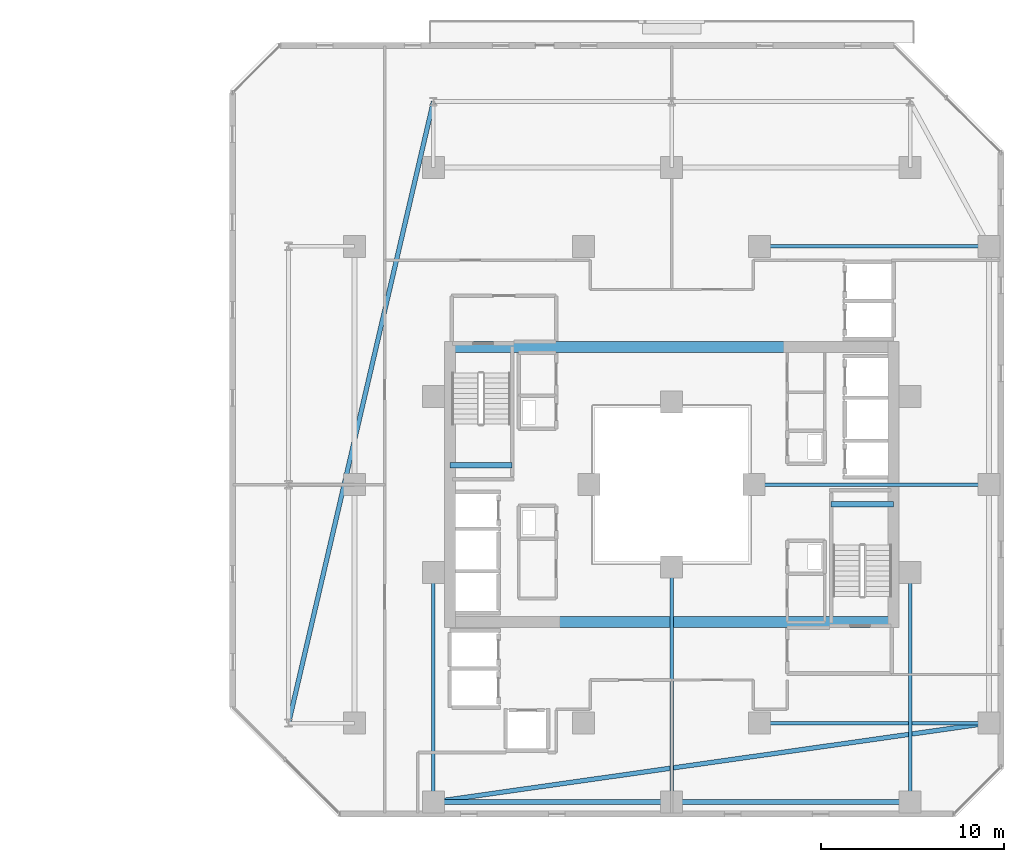
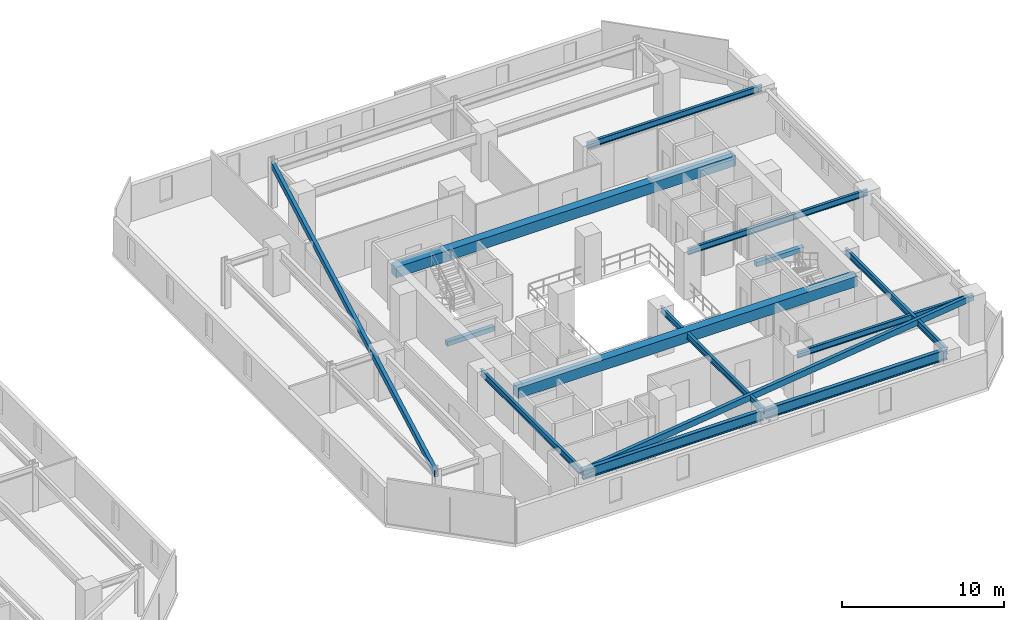
# One storey, part 11 of 30: 14 beams.
"""IFC4 building model written with IfcOpenShell, lengths in metres."""

from ifc_helpers import new_model, si_unit, direction, frame, origin, origin_2d, place, context, subcontext, project, spatial, rectangle, hollow_rectangle, i_section, extrude, material, material_profile, profile_set, type_object, element, save


model = new_model("IFC4")

# Units and contexts
model_context = context("Model", 3, precision=1e-05, world=origin(), true_north=direction((0.0, 1.0)))
body_context = subcontext(model_context, "Body", "Model", "MODEL_VIEW")
ifc_project = project(units=[si_unit("LENGTHUNIT", "METRE"), si_unit("AREAUNIT", "SQUARE_METRE"), si_unit("VOLUMEUNIT", "CUBIC_METRE"), si_unit("PLANEANGLEUNIT", "RADIAN"), si_unit("MASSUNIT", "GRAM", prefix="KILO")], contexts=[model_context])

# Site, building, storey
site_placement = place(None, origin())
site = spatial("IfcSite", under=ifc_project, at=site_placement, CompositionType="ELEMENT")
building_placement = place(site_placement, origin())
building = spatial("IfcBuilding", under=site, at=building_placement, Name="Thornwick Lancets Civic Towers", CompositionType="ELEMENT")
storey_placement = place(building_placement, frame((0.0, 0.0, 80.10009765625)))
storey = spatial("IfcBuildingStorey", under=building, at=storey_placement, Name="L20", CompositionType="ELEMENT", Elevation=80.10009765625)

# Beams
ifc_material_1 = material(Name="Concrete C60/75", Category="concrete")
ifc_material_profile_1 = material_profile(ifc_material_1, rectangle(XDim=0.60009765625, YDim=0.800048828125, at=origin_2d()), Name="RC 600x800")
ifc_profile_set_1 = profile_set([ifc_material_profile_1], Name="Concrete C60/75")
beam_type_1 = type_object("IfcBeamType", Name="BM_COUP_RC800", PredefinedType="BEAM", material=ifc_profile_set_1)
for number, where, z_axis, x_axis, name in (
    (1, (76.39990234375, 34.5, 2.9599609375), (1.0, 0.0, 0.0), (0.0, 1.0, 0.0), "CB-L20-B1"),
    (2, (76.39990234375, 19.5, 2.9599609375), (1.0, 0.0, 0.0), (0.0, 1.0, 0.0), "CB-L20-B2"),
):
    element("IfcBeam", number, at=place(storey_placement, frame(where, z_axis=z_axis, x_axis=x_axis)), inside=storey, type_object=beam_type_1, Name=name, PredefinedType="BEAM", context=body_context, shape_type="SweptSolid", body=[
        extrude(rectangle(XDim=0.60009765625, YDim=0.800048828125, at=origin_2d()), origin(), (0.0, 0.0, 1.0), 24.2001953125),
    ])
ifc_material_2 = material(Name="Steel S355JR", Category="steel")
ifc_material_profile_2 = material_profile(ifc_material_2, i_section(OverallWidth=0.26806640625, OverallDepth=0.769775390625, WebThickness=0.015625, FlangeThickness=0.025390625, FilletRadius=0.0166015625, at=origin_2d()), Name="UKB 762x267x197")
ifc_profile_set_2 = profile_set([ifc_material_profile_2], Name="Steel S355JR")
beam_type_2 = type_object("IfcBeamType", Name="BM_GIRD_762_197", PredefinedType="BEAM", material=ifc_profile_set_2)
beam_1_placement = place(storey_placement, frame((101.5, 9.699951171875, 2.97509765625), z_axis=(-1.0, 0.0, 0.0), x_axis=(0.0, -1.0, 0.0)))
element("IfcBeam", 3, at=beam_1_placement, inside=storey, type_object=beam_type_2, Name="BM-SPINE-L20-B-9-10", PredefinedType="BEAM", context=body_context, shape_type="SweptSolid", body=[
    extrude(i_section(OverallWidth=0.26806640625, OverallDepth=0.769775390625, WebThickness=0.015625, FlangeThickness=0.025390625, FilletRadius=0.0166015625, at=origin_2d()), origin(), (0.0, 0.0, 1.0), 13.0),
])
beam_2_placement = place(storey_placement, frame((88.419921875, 9.699951171875, 2.97509765625), z_axis=(-1.0, 0.0, 0.0), x_axis=(0.0, -1.0, 0.0)))
element("IfcBeam", 4, at=beam_2_placement, inside=storey, type_object=beam_type_2, Name="BM-SPINE-L20-B-10-11", PredefinedType="BEAM", context=body_context, shape_type="SweptSolid", body=[
    extrude(i_section(OverallWidth=0.26806640625, OverallDepth=0.769775390625, WebThickness=0.015625, FlangeThickness=0.025390625, FilletRadius=0.0166015625, at=origin_2d()), origin(), (0.0, 0.0, 1.0), 12.919921875),
])
ifc_material_profile_3 = material_profile(ifc_material_2, i_section(OverallWidth=0.19189453125, OverallDepth=0.46337890625, WebThickness=0.010498046875, FlangeThickness=0.017578125, FilletRadius=0.01025390625, at=origin_2d()), Name="UKB 457x191x89")
ifc_profile_set_3 = profile_set([ifc_material_profile_3], Name="Steel S355JR")
beam_type_3 = type_object("IfcBeamType", Name="BM_JOIST_457_89", PredefinedType="JOIST", material=ifc_profile_set_3)
beam_3_placement = place(storey_placement, frame((93.300048828125, 14.0, 3.128173828125), z_axis=(1.0, 0.0, 0.0), x_axis=(0.0, 1.0, 0.0)))
element("IfcBeam", 5, at=beam_3_placement, inside=storey, type_object=beam_type_3, Name="BM-RADIN-L20-B01", PredefinedType="JOIST", context=body_context, shape_type="SweptSolid", body=[
    extrude(i_section(OverallWidth=0.19189453125, OverallDepth=0.46337890625, WebThickness=0.010498046875, FlangeThickness=0.017578125, FilletRadius=0.01025390625, at=origin_2d()), origin(), (0.0, 0.0, 1.0), 12.5),
])
beam_4_placement = place(storey_placement, frame((93.0, 27.0, 3.128173828125), z_axis=(1.0, 0.0, 0.0), x_axis=(0.0, 1.0, 0.0)))
element("IfcBeam", 6, at=beam_4_placement, inside=storey, type_object=beam_type_3, Name="BM-RADIN-L20-B02", PredefinedType="JOIST", context=body_context, shape_type="SweptSolid", body=[
    extrude(i_section(OverallWidth=0.19189453125, OverallDepth=0.46337890625, WebThickness=0.010498046875, FlangeThickness=0.017578125, FilletRadius=0.01025390625, at=origin_2d()), origin(), (0.0, 0.0, 1.0), 12.800048828125),
])
for number, where, z_axis, x_axis, name in (
    (7, (93.300048828125, 40.0, 3.128173828125), (1.0, 0.0, 0.0), (0.0, 1.0, 0.0), "BM-RADIN-L20-B03"),
    (8, (101.5, 22.199951171875, 3.128173828125), (0.0, -1.0, 0.0), (1.0, 0.0, 0.0), "BM-RADIN-L20-B10"),
):
    element("IfcBeam", number, at=place(storey_placement, frame(where, z_axis=z_axis, x_axis=x_axis)), inside=storey, type_object=beam_type_3, Name=name, PredefinedType="JOIST", context=body_context, shape_type="SweptSolid", body=[
        extrude(i_section(OverallWidth=0.19189453125, OverallDepth=0.46337890625, WebThickness=0.010498046875, FlangeThickness=0.017578125, FilletRadius=0.01025390625, at=origin_2d()), origin(), (0.0, 0.0, 1.0), 12.5),
    ])
beam_5_placement = place(storey_placement, frame((88.5, 22.5, 3.128173828125), z_axis=(0.0, -1.0, 0.0), x_axis=(1.0, 0.0, 0.0)))
element("IfcBeam", 9, at=beam_5_placement, inside=storey, type_object=beam_type_3, Name="BM-RADIN-L20-B11", PredefinedType="JOIST", context=body_context, shape_type="SweptSolid", body=[
    extrude(i_section(OverallWidth=0.19189453125, OverallDepth=0.46337890625, WebThickness=0.010498046875, FlangeThickness=0.017578125, FilletRadius=0.01025390625, at=origin_2d()), origin(), (0.0, 0.0, 1.0), 12.800048828125),
])
beam_6_placement = place(storey_placement, frame((75.5, 22.199951171875, 3.128173828125), z_axis=(0.0, -1.0, 0.0), x_axis=(1.0, 0.0, 0.0)))
element("IfcBeam", 10, at=beam_6_placement, inside=storey, type_object=beam_type_3, Name="BM-RADIN-L20-B12", PredefinedType="JOIST", context=body_context, shape_type="SweptSolid", body=[
    extrude(i_section(OverallWidth=0.19189453125, OverallDepth=0.46337890625, WebThickness=0.010498046875, FlangeThickness=0.017578125, FilletRadius=0.01025390625, at=origin_2d()), origin(), (0.0, 0.0, 1.0), 12.5),
])
ifc_material_profile_4 = material_profile(ifc_material_2, hollow_rectangle(XDim=0.25, YDim=0.449951171875, WallThickness=0.01611328125, at=origin_2d()), Name="RHS 450x250x16")
ifc_profile_set_4 = profile_set([ifc_material_profile_4], Name="Steel S355JR")
beam_type_4 = type_object("IfcBeamType", Name="BM_RING_RHS450", PredefinedType="BEAM", material=ifc_profile_set_4)
beam_7_placement = place(storey_placement, frame((75.5, 47.89990234375, 3.135009765625), z_axis=(-0.226955111866, -0.973905219823, 0.0), x_axis=(0.973905219823, -0.226955111866, 0.0)))
element("IfcBeam", 11, at=beam_7_placement, inside=storey, type_object=beam_type_4, Name="BM-CHAMF-L20-B-C1", PredefinedType="BEAM", context=body_context, shape_type="SweptSolid", body=[
    extrude(hollow_rectangle(XDim=0.25, YDim=0.449951171875, WallThickness=0.01611328125, at=origin_2d()), origin(), (0.0, 0.0, 1.0), 34.80810546875),
])
beam_8_placement = place(storey_placement, frame((75.5, 9.699951171875, 3.135009765625), z_axis=(0.990079584012, 0.140507712682, 0.0), x_axis=(-0.140507712682, 0.990079584012, 0.0)))
element("IfcBeam", 12, at=beam_8_placement, inside=storey, type_object=beam_type_4, Name="BM-CHAMF-L20-B-C3", PredefinedType="BEAM", context=body_context, shape_type="SweptSolid", body=[
    extrude(hollow_rectangle(XDim=0.25, YDim=0.449951171875, WallThickness=0.01611328125, at=origin_2d()), origin(), (0.0, 0.0, 1.0), 30.603759765625),
])
ifc_material_3 = material(Name="Concrete C40/50", Category="concrete")
ifc_material_profile_5 = material_profile(ifc_material_3, rectangle(XDim=0.300048828125, YDim=0.35009765625, at=origin_2d()), Name="RC 300x350")
ifc_profile_set_5 = profile_set([ifc_material_profile_5], Name="Concrete C40/50")
beam_type_5 = type_object("IfcBeamType", Name="BM_STAIR_LDG", PredefinedType="BEAM", material=ifc_profile_set_5)
for number, where, z_axis, x_axis, name in (
    (13, (100.60009765625, 25.93505859375, 1.3779296875), (-1.0, 0.0, 0.0), (0.0, -1.0, 0.0), "L20 ST-B1 Landing Support Beam 1"),
    (14, (76.39990234375, 28.06494140625, 1.3779296875), (1.0, 0.0, 0.0), (0.0, 1.0, 0.0), "L20 ST-B2 Landing Support Beam 1"),
):
    element("IfcBeam", number, at=place(storey_placement, frame(where, z_axis=z_axis, x_axis=x_axis)), inside=storey, type_object=beam_type_5, Name=name, PredefinedType="BEAM", context=body_context, shape_type="SweptSolid", body=[
        extrude(rectangle(XDim=0.300048828125, YDim=0.35009765625, at=origin_2d()), origin(), (0.0, 0.0, 1.0), 3.400146484375),
    ])

save(model, "model.ifc")
